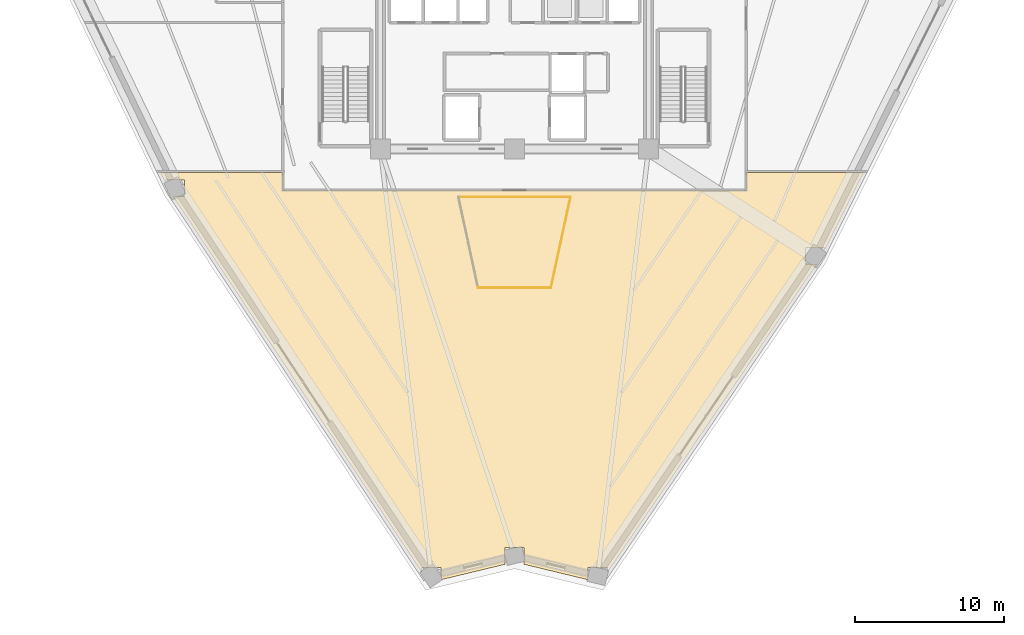
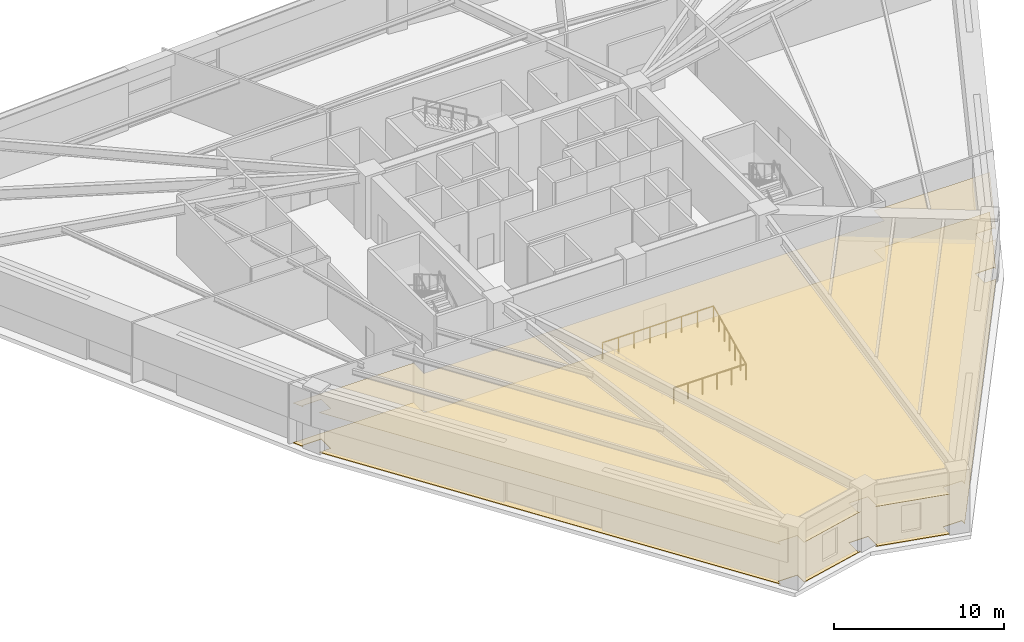
# One storey, part 37 of 39: 3 railings, 2 coverings.
"""IFC4 building model written with IfcOpenShell, lengths in metres."""

from ifc_helpers import new_model, si_unit, direction, frame, origin, origin_2d, place, context, subcontext, project, spatial, polyline, rectangle, outline, extrude, material, layer, layer_set, type_object, element, save


model = new_model("IFC4")

# Units and contexts
model_context = context("Model", 3, precision=1e-05, world=origin(), true_north=direction((0.0, 1.0)))
body_context = subcontext(model_context, "Body", "Model", "MODEL_VIEW")
ifc_project = project(units=[si_unit("LENGTHUNIT", "METRE"), si_unit("AREAUNIT", "SQUARE_METRE"), si_unit("VOLUMEUNIT", "CUBIC_METRE"), si_unit("PLANEANGLEUNIT", "RADIAN"), si_unit("MASSUNIT", "GRAM", prefix="KILO")], contexts=[model_context])

# Site, building, storey
site_placement = place(None, origin())
site = spatial("IfcSite", under=ifc_project, at=site_placement, CompositionType="ELEMENT")
building_placement = place(site_placement, origin())
building = spatial("IfcBuilding", under=site, at=building_placement, Name="Liaohun Quay Tower", CompositionType="ELEMENT")
storey_placement = place(building_placement, frame((0.0, 0.0, 189.75)))
storey = spatial("IfcBuildingStorey", under=building, at=storey_placement, Name="L49", CompositionType="ELEMENT", Elevation=189.75)

# Coverings
ifc_material_1 = material(Name="Mineral-fibre acoustic ceiling tile")
ifc_layer_1 = layer(ifc_material_1, 0.02490234375, Name="Mineral-fibre acoustic ceiling tile")
ifc_layer_set_1 = layer_set([ifc_layer_1], Name="Mineral-fibre acoustic ceiling tile")
covering_type_1 = type_object("IfcCoveringType", Name="COV-CEIL-ACT", PredefinedType="CEILING", material=ifc_layer_set_1)
covering_1_placement = place(storey_placement, frame((0.0, 0.0, 2.85009765625)))
element("IfcCovering", 1, at=covering_1_placement, inside=storey, type_object=covering_type_1, Name="L49 Architectural Design Studio 06 Acoustic Ceiling", PredefinedType="CEILING", context=body_context, shape_type="SweptSolid", body=[
    extrude(outline(polyline([(36.23388671875, 44.925048828125), (36.556884765625, 44.256103515625), (36.556884765625, 44.408935546875), (37.846923828125, 44.408935546875), (37.846923828125, 43.319091796875), (37.071044921875, 43.319091796875), (53.778076171875, 18.0791015625), (53.778076171875, 18.39208984375), (55.068115234375, 18.39208984375), (55.068115234375, 17.5810546875), (59.488037109375, 18.64892578125), (59.35498046875, 18.64892578125), (59.35498046875, 19.739013671875), (60.64501953125, 19.739013671875), (60.64501953125, 18.64892578125), (60.511962890625, 18.64892578125), (64.93994140625, 17.5791015625), (64.93994140625, 18.389892578125), (66.22998046875, 18.389892578125), (66.22998046875, 18.06591796875), (80.302978515625, 38.780029296875), (79.532958984375, 38.780029296875), (79.532958984375, 39.8701171875), (80.822998046875, 39.8701171875), (80.822998046875, 39.700927734375), (83.427978515625, 44.925048828125), (75.580078125, 44.925048828125), (75.580078125, 43.719970703125), (44.419921875, 43.719970703125), (44.419921875, 44.925048828125), (36.23388671875, 44.925048828125)])), origin(), (0.0, 0.0, 1.0), 0.02490234375),
])
ifc_material_2 = material(Name="Honed Liaodong granite floor paving", Category="masonry")
ifc_layer_2 = layer(ifc_material_2, 0.034912109375, Name="Honed Liaodong granite floor paving", Category="masonry")
ifc_layer_set_2 = layer_set([ifc_layer_2], Name="Honed Liaodong granite floor paving")
covering_type_2 = type_object("IfcCoveringType", Name="COV-FLR-STN", PredefinedType="FLOORING", material=ifc_layer_set_2)
covering_2_placement = place(storey_placement, origin())
element("IfcCovering", 2, at=covering_2_placement, inside=storey, type_object=covering_type_2, Name="L49 Architectural Design Studio 06 Floor Finish", PredefinedType="FLOORING", context=body_context, shape_type="SweptSolid", body=[
    extrude(outline(polyline([(36.23388671875, 44.925048828125), (36.556884765625, 44.256103515625), (36.556884765625, 44.408935546875), (37.846923828125, 44.408935546875), (37.846923828125, 43.319091796875), (37.071044921875, 43.319091796875), (53.778076171875, 18.0791015625), (53.778076171875, 18.39208984375), (55.068115234375, 18.39208984375), (55.068115234375, 17.5810546875), (59.488037109375, 18.64892578125), (59.35498046875, 18.64892578125), (59.35498046875, 19.739013671875), (60.64501953125, 19.739013671875), (60.64501953125, 18.64892578125), (60.511962890625, 18.64892578125), (64.93994140625, 17.5791015625), (64.93994140625, 18.389892578125), (66.22998046875, 18.389892578125), (66.22998046875, 18.06591796875), (80.302978515625, 38.780029296875), (79.532958984375, 38.780029296875), (79.532958984375, 39.8701171875), (80.822998046875, 39.8701171875), (80.822998046875, 39.700927734375), (83.427978515625, 44.925048828125), (75.580078125, 44.925048828125), (75.580078125, 43.719970703125), (44.419921875, 43.719970703125), (44.419921875, 44.925048828125), (36.23388671875, 44.925048828125)])), origin(), (0.0, 0.0, 1.0), 0.034912109375),
])

# Railings
ifc_material_3 = material(Name="Laminated safety glass and stainless steel", Category="steel")
railing_type = type_object("IfcRailingType", Name="RLG-GUARD-ATR", PredefinedType="BALUSTRADE", material=ifc_material_3)
railing_1_placement = place(storey_placement, frame((56.239013671875, 43.280029296875, 0.0)))
element("IfcRailing", 3, at=railing_1_placement, inside=storey, type_object=railing_type, Name="L49 Atrium Edge Balustrade 2", PredefinedType="BALUSTRADE", context=body_context, shape_type="SweptSolid", body=[
    extrude(rectangle(XDim=0.048095703125, YDim=0.048095703125, at=origin_2d()), frame((0.0, 0.0, 1.17578125), z_axis=(1.0, 0.0, 0.0), x_axis=(0.0, 1.0, 0.0)), (0.0, 0.0, 1.0), 7.52197265625),
    extrude(rectangle(XDim=0.0419921875, YDim=0.0419921875, at=origin_2d()), origin(), (0.0, 0.0, 1.0), 1.15185546875),
    extrude(rectangle(XDim=0.0419921875, YDim=0.0419921875, at=origin_2d()), frame((1.074462890625, 0.0, 0.0)), (0.0, 0.0, 1.0), 1.15185546875),
    extrude(rectangle(XDim=0.0419921875, YDim=0.0419921875, at=origin_2d()), frame((2.149169921875, 0.0, 0.0)), (0.0, 0.0, 1.0), 1.15185546875),
    extrude(rectangle(XDim=0.0419921875, YDim=0.0419921875, at=origin_2d()), frame((3.2236328125, 0.0, 0.0)), (0.0, 0.0, 1.0), 1.15185546875),
    extrude(rectangle(XDim=0.0419921875, YDim=0.0419921875, at=origin_2d()), frame((4.29833984375, 0.0, 0.0)), (0.0, 0.0, 1.0), 1.15185546875),
    extrude(rectangle(XDim=0.0419921875, YDim=0.0419921875, at=origin_2d()), frame((5.372802734375, 0.0, 0.0)), (0.0, 0.0, 1.0), 1.15185546875),
    extrude(rectangle(XDim=0.0419921875, YDim=0.0419921875, at=origin_2d()), frame((6.447509765625, 0.0, 0.0)), (0.0, 0.0, 1.0), 1.15185546875),
    extrude(rectangle(XDim=0.0419921875, YDim=0.0419921875, at=origin_2d()), frame((7.52197265625, 0.0, 0.0)), (0.0, 0.0, 1.0), 1.15185546875),
])
railing_2_placement = place(storey_placement, frame((63.760986328125, 43.280029296875, 0.0)))
element("IfcRailing", 4, at=railing_2_placement, inside=storey, type_object=railing_type, Name="L49 Atrium Edge Balustrade 3", PredefinedType="BALUSTRADE", context=body_context, shape_type="SweptSolid", body=[
    extrude(rectangle(XDim=0.048095703125, YDim=0.048095703125, at=origin_2d()), frame((0.0, 0.0, 1.17578125), z_axis=(-0.211201266121, -0.977442594319, 0.0), x_axis=(0.977442594319, -0.211201266121, 0.0)), (0.0, 0.0, 1.0), 6.230712890625),
    extrude(rectangle(XDim=0.0419921875, YDim=0.0419921875, at=origin_2d()), origin(), (0.0, 0.0, 1.0), 1.15185546875),
    extrude(rectangle(XDim=0.0419921875, YDim=0.0419921875, at=origin_2d()), frame((-0.21923828125, -1.01513671875, 0.0)), (0.0, 0.0, 1.0), 1.15185546875),
    extrude(rectangle(XDim=0.0419921875, YDim=0.0419921875, at=origin_2d()), frame((-0.438720703125, -2.030029296875, 0.0)), (0.0, 0.0, 1.0), 1.15185546875),
    extrude(rectangle(XDim=0.0419921875, YDim=0.0419921875, at=origin_2d()), frame((-0.657958984375, -3.044921875, 0.0)), (0.0, 0.0, 1.0), 1.15185546875),
    extrude(rectangle(XDim=0.0419921875, YDim=0.0419921875, at=origin_2d()), frame((-0.877197265625, -4.06005859375, 0.0)), (0.0, 0.0, 1.0), 1.15185546875),
    extrude(rectangle(XDim=0.0419921875, YDim=0.0419921875, at=origin_2d()), frame((-1.0966796875, -5.0751953125, 0.0)), (0.0, 0.0, 1.0), 1.15185546875),
    extrude(rectangle(XDim=0.0419921875, YDim=0.0419921875, at=origin_2d()), frame((-1.31591796875, -6.090087890625, 0.0)), (0.0, 0.0, 1.0), 1.15185546875),
])
railing_3_placement = place(storey_placement, frame((62.445068359375, 37.18994140625, 0.0)))
element("IfcRailing", 5, at=railing_3_placement, inside=storey, type_object=railing_type, Name="L49 Atrium Edge Balustrade 4", PredefinedType="BALUSTRADE", context=body_context, shape_type="SweptSolid", body=[
    extrude(rectangle(XDim=0.048095703125, YDim=0.048095703125, at=origin_2d()), frame((0.0, 0.0, 1.17578125), z_axis=(-1.0, 0.0, 0.0), x_axis=(0.0, -1.0, 0.0)), (0.0, 0.0, 1.0), 4.89013671875),
    extrude(rectangle(XDim=0.0419921875, YDim=0.0419921875, at=origin_2d()), origin(), (0.0, 0.0, 1.0), 1.15185546875),
    extrude(rectangle(XDim=0.0419921875, YDim=0.0419921875, at=origin_2d()), frame((-0.97802734375, 0.0, 0.0)), (0.0, 0.0, 1.0), 1.15185546875),
    extrude(rectangle(XDim=0.0419921875, YDim=0.0419921875, at=origin_2d()), frame((-1.9560546875, 0.0, 0.0)), (0.0, 0.0, 1.0), 1.15185546875),
    extrude(rectangle(XDim=0.0419921875, YDim=0.0419921875, at=origin_2d()), frame((-2.93408203125, 0.0, 0.0)), (0.0, 0.0, 1.0), 1.15185546875),
    extrude(rectangle(XDim=0.0419921875, YDim=0.0419921875, at=origin_2d()), frame((-3.912109375, 0.0, 0.0)), (0.0, 0.0, 1.0), 1.15185546875),
    extrude(rectangle(XDim=0.0419921875, YDim=0.0419921875, at=origin_2d()), frame((-4.89013671875, 0.0, 0.0)), (0.0, 0.0, 1.0), 1.15185546875),
])

save(model, "model.ifc")
